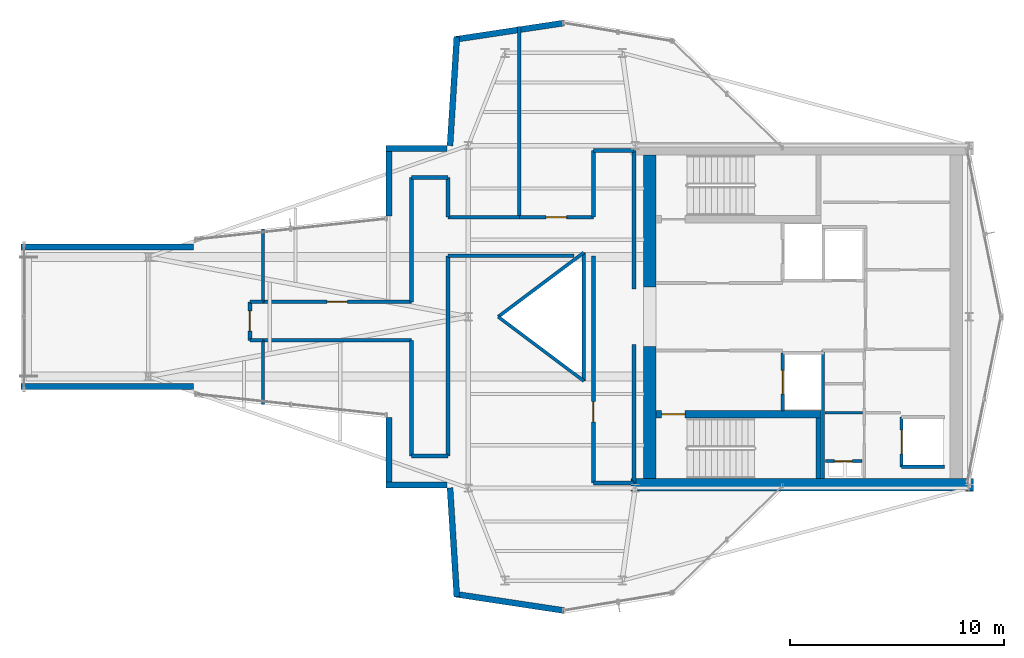
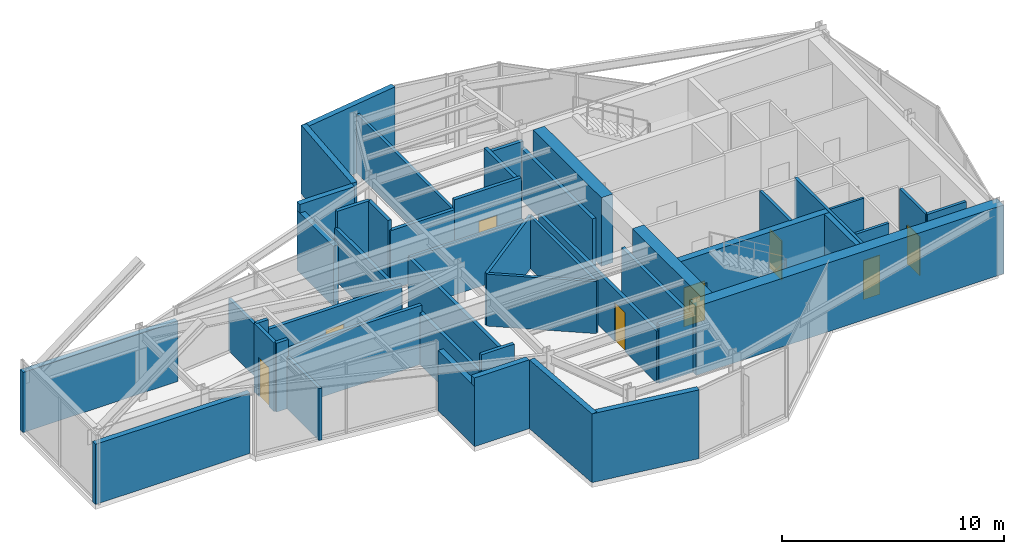
# One storey, part 14 of 16: 47 walls, 8 doors, 8 openings.
"""IFC4 building model written with IfcOpenShell, lengths in metres."""

from ifc_helpers import new_model, si_unit, direction, frame, frame_2d, origin, place, context, subcontext, project, spatial, rectangle, extrude, material, layer, layer_set, type_object, element, fill, save


model = new_model("IFC4")

# Units and contexts
model_context = context("Model", 3, precision=1e-05, world=origin(), true_north=direction((0.0, 1.0)))
body_context = subcontext(model_context, "Body", "Model", "MODEL_VIEW")
ifc_project = project(units=[si_unit("LENGTHUNIT", "METRE"), si_unit("AREAUNIT", "SQUARE_METRE"), si_unit("VOLUMEUNIT", "CUBIC_METRE"), si_unit("PLANEANGLEUNIT", "RADIAN"), si_unit("MASSUNIT", "GRAM", prefix="KILO")], contexts=[model_context])

# Site, building, storey
site_placement = place(None, origin())
site = spatial("IfcSite", under=ifc_project, at=site_placement, CompositionType="ELEMENT")
building_placement = place(site_placement, origin())
building = spatial("IfcBuilding", under=site, at=building_placement, Name="Veymaron Broadcast Tower", CompositionType="ELEMENT")
storey_placement = place(building_placement, frame((0.0, 0.0, 315.449951171875)))
storey = spatial("IfcBuildingStorey", under=building, at=storey_placement, Name="L74", CompositionType="ELEMENT", Elevation=315.449951171875)

# Walls
ifc_material_1 = material(Name="Precast concrete C40/50", Category="concrete")
ifc_layer_1 = layer(ifc_material_1, 0.280029296875)
ifc_layer_set_1 = layer_set([ifc_layer_1], Name="Precast concrete C40/50")
wall_type_1 = type_object("IfcWallType", Name="WALL-EXT-280", PredefinedType="STANDARD", material=ifc_layer_set_1)
wall_1_placement = place(storey_placement, frame((27.498291015625, 19.284423828125, 0.0), z_axis=(0.0, 0.0, 1.0), x_axis=(0.0, -1.0, 0.0)))
element("IfcWall", 1, at=wall_1_placement, inside=storey, type_object=wall_type_1, Name="L74 notched corner facade pier 3-1", PredefinedType="STANDARD", context=body_context, shape_type="SweptSolid", body=[
    extrude(rectangle(XDim=3.284423828125, YDim=0.280029296875, at=frame_2d((1.64208984375, 0.0))), origin(), (0.0, 0.0, 1.0), 3.30908203125),
])
wall_2_placement = place(storey_placement, frame((27.3583984375, 16.139892578125, 0.0), z_axis=(0.0, 0.0, 1.0), x_axis=(1.0, 0.0, 0.0)))
element("IfcWall", 2, at=wall_2_placement, inside=storey, type_object=wall_type_1, Name="L74 notched corner facade pier 4-1", PredefinedType="STANDARD", context=body_context, shape_type="SweptSolid", body=[
    extrude(rectangle(XDim=2.85009765625, YDim=0.280029296875, at=frame_2d((1.425048828125, 0.0))), origin(), (0.0, 0.0, 1.0), 3.780029296875),
])
wall_3_placement = place(storey_placement, frame((30.34814453125, 16.0087890625, 0.0), z_axis=(0.0, 0.0, 1.0), x_axis=(0.062485600391, -0.998045865551, 0.0)))
element("IfcWall", 3, at=wall_3_placement, inside=storey, type_object=wall_type_1, Name="L74 notched corner facade pier 5-1", PredefinedType="STANDARD", context=body_context, shape_type="SweptSolid", body=[
    extrude(rectangle(XDim=5.098876953125, YDim=0.280029296875, at=frame_2d((2.54931640625, 0.0))), origin(), (0.0, 0.0, 1.0), 3.780029296875),
])
for number, where, z_axis, x_axis, name in (
    (4, (30.548095703125, 11.049560546875, 0.0), (0.0, 0.0, 1.0), (0.988753702072, -0.149553056265, 0.0), "L74 notched corner facade pier 6-1"),
    (5, (35.677734375, 37.726318359375, 0.0), (0.0, 0.0, 1.0), (-0.988753702072, -0.149553056265, 0.0), "L74 notched corner facade pier 15-1"),
):
    element("IfcWall", number, at=place(storey_placement, frame(where, z_axis=z_axis, x_axis=x_axis)), inside=storey, type_object=wall_type_1, Name=name, PredefinedType="STANDARD", context=body_context, shape_type="SweptSolid", body=[
        extrude(rectangle(XDim=5.18798828125, YDim=0.280029296875, at=frame_2d((2.593994140625, 0.0))), origin(), (0.0, 0.0, 1.0), 3.780029296875),
    ])
wall_4_placement = place(storey_placement, frame((30.666748046875, 37.080078125, 0.0), z_axis=(0.0, 0.0, 1.0), x_axis=(-0.062485600391, -0.998045865551, 0.0)))
element("IfcWall", 6, at=wall_4_placement, inside=storey, type_object=wall_type_1, Name="L74 notched corner facade pier 16-1", PredefinedType="STANDARD", context=body_context, shape_type="SweptSolid", body=[
    extrude(rectangle(XDim=5.098876953125, YDim=0.280029296875, at=frame_2d((2.54931640625, 0.0))), origin(), (0.0, 0.0, 1.0), 3.780029296875),
])
wall_5_placement = place(storey_placement, frame((30.20849609375, 31.860107421875, 0.0), z_axis=(0.0, 0.0, 1.0), x_axis=(-1.0, 0.0, 0.0)))
element("IfcWall", 7, at=wall_5_placement, inside=storey, type_object=wall_type_1, Name="L74 notched corner facade pier 17-1", PredefinedType="STANDARD", context=body_context, shape_type="SweptSolid", body=[
    extrude(rectangle(XDim=2.85009765625, YDim=0.280029296875, at=frame_2d((1.425048828125, 0.0))), origin(), (0.0, 0.0, 1.0), 3.780029296875),
])
wall_6_placement = place(storey_placement, frame((27.498291015625, 32.0, 0.0), z_axis=(0.0, 0.0, 1.0), x_axis=(0.0, -1.0, 0.0)))
element("IfcWall", 8, at=wall_6_placement, inside=storey, type_object=wall_type_1, Name="L74 notched corner facade pier 18-1", PredefinedType="STANDARD", context=body_context, shape_type="SweptSolid", body=[
    extrude(rectangle(XDim=3.284423828125, YDim=0.280029296875, at=frame_2d((1.64208984375, 0.0))), origin(), (0.0, 0.0, 1.0), 3.30908203125),
])
for number, where, z_axis, x_axis, name in (
    (9, (18.353515625, 27.260009765625, 0.0), (0.0, 0.0, 1.0), (-1.0, 0.0, 0.0), "L74 notched corner facade pier 21-1"),
    (10, (10.308837890625, 20.739990234375, 0.0), (0.0, 0.0, 1.0), (1.0, 0.0, 0.0), "L74 notched corner facade pier 23-1"),
):
    element("IfcWall", number, at=place(storey_placement, frame(where, z_axis=z_axis, x_axis=x_axis)), inside=storey, type_object=wall_type_1, Name=name, PredefinedType="STANDARD", context=body_context, shape_type="SweptSolid", body=[
        extrude(rectangle(XDim=8.044677734375, YDim=0.280029296875, at=frame_2d((4.0224609375, 0.0))), origin(), (0.0, 0.0, 1.0), 3.30908203125),
    ])

# Wall, opening, door
ifc_material_2 = material(Name="Gypsum fireboard and steel stud framing", Category="steel")
ifc_layer_2 = layer(ifc_material_2, 0.14990234375)
ifc_layer_set_2 = layer_set([ifc_layer_2], Name="Gypsum fireboard and steel stud framing")
wall_type_2 = type_object("IfcWallType", Name="WALL-FIRE-150", PredefinedType="PARTITIONING", material=ifc_layer_set_2)
wall_7_placement = place(storey_placement, frame((45.89501953125, 19.590087890625, 0.0), z_axis=(0.0, 0.0, 1.0), x_axis=(0.0, 1.0, 0.0)))
wall_7 = element("IfcWall", 11, at=wall_7_placement, inside=storey, type_object=wall_type_2, Name="L74 partition IW-L74-SHW-FFL-2", PredefinedType="PARTITIONING", context=body_context, shape_type="SweptSolid", body=[
    extrude(rectangle(XDim=2.719970703125, YDim=0.14990234375, at=frame_2d((1.35986328125, 0.0))), origin(), (0.0, 0.0, 1.0), 3.780029296875),
])
opening_1_placement = place(wall_7_placement, frame((0.81005859375, 0.0, 0.0)))
opening_1 = element("IfcOpeningElement", 12, at=opening_1_placement, cuts=wall_7, Name="Opening LD", PredefinedType="OPENING", context=body_context, shape_type="SweptSolid", body=[
    extrude(rectangle(XDim=1.10009765625, YDim=2.14990234375, at=frame_2d((0.550048828125, 1.074951171875))), frame((0.0, 0.0849609375, 0.0), z_axis=(0.0, -1.0, 0.0), x_axis=(1.0, 0.0, 0.0)), (0.0, 0.0, 1.0), 0.169921875),
])
ifc_material_3 = material(Name="Brushed stainless steel AISI 304", Category="steel")
door_type_1 = type_object("IfcDoorType", Name="DOOR-LIFT-1100", OperationType="DOUBLE_DOOR_SLIDING", PredefinedType="DOOR", material=ifc_material_3)
door_1_placement = place(opening_1_placement, frame((1.10009765625, 0.0, 0.0), z_axis=(0.0, 0.0, 1.0), x_axis=(-1.0, 0.0, 0.0)))
door_1 = element("IfcDoor", 13, at=door_1_placement, inside=storey, type_object=door_type_1, Name="L74 door LD-L74-FFL-2", OperationType="DOUBLE_DOOR_SLIDING", OverallHeight=2.14990234375, OverallWidth=1.10009765625, PredefinedType="DOOR", context=body_context, shape_type="SweptSolid", body=[
    extrude(rectangle(XDim=1.10009765625, YDim=2.14990234375, at=frame_2d((0.550048828125, 1.074951171875))), frame((0.0, 0.02490234375, 0.0), z_axis=(0.0, -1.0, 0.0), x_axis=(1.0, 0.0, 0.0)), (0.0, 0.0, 1.0), 0.050048828125),
])
fill(opening_1, door_1)

wall_8_placement = place(storey_placement, frame((51.445068359375, 16.989990234375, 0.0), z_axis=(0.0, 0.0, 1.0), x_axis=(0.0, 1.0, 0.0)))
wall_8 = element("IfcWall", 14, at=wall_8_placement, inside=storey, type_object=wall_type_2, Name="L74 partition IW-L74-SHW-PH1", PredefinedType="PARTITIONING", context=body_context, shape_type="SweptSolid", body=[
    extrude(rectangle(XDim=2.320068359375, YDim=0.14990234375, at=frame_2d((1.16015625, 0.0))), origin(), (0.0, 0.0, 1.0), 3.780029296875),
])
opening_2_placement = place(wall_8_placement, frame((0.610107421875, 0.0, 0.0)))
opening_2 = element("IfcOpeningElement", 15, at=opening_2_placement, cuts=wall_8, Name="Opening LD", PredefinedType="OPENING", context=body_context, shape_type="SweptSolid", body=[
    extrude(rectangle(XDim=1.10009765625, YDim=2.14990234375, at=frame_2d((0.550048828125, 1.074951171875))), frame((0.0, 0.0849609375, 0.0), z_axis=(0.0, -1.0, 0.0), x_axis=(1.0, 0.0, 0.0)), (0.0, 0.0, 1.0), 0.169921875),
])
door_2_placement = place(opening_2_placement, frame((1.10009765625, 0.0, 0.0), z_axis=(0.0, 0.0, 1.0), x_axis=(-1.0, 0.0, 0.0)))
door_2 = element("IfcDoor", 16, at=door_2_placement, inside=storey, type_object=door_type_1, Name="L74 door LD-L74-PH1", OperationType="DOUBLE_DOOR_SLIDING", OverallHeight=2.14990234375, OverallWidth=1.10009765625, PredefinedType="DOOR", context=body_context, shape_type="SweptSolid", body=[
    extrude(rectangle(XDim=1.10009765625, YDim=2.14990234375, at=frame_2d((0.550048828125, 1.074951171875))), frame((0.0, 0.02490234375, 0.0), z_axis=(0.0, -1.0, 0.0), x_axis=(1.0, 0.0, 0.0)), (0.0, 0.0, 1.0), 0.050048828125),
])
fill(opening_2, door_2)

# Wall
wall_9_placement = place(storey_placement, frame((51.445068359375, 16.989990234375, 0.0), z_axis=(0.0, 0.0, 1.0), x_axis=(1.0, 0.0, 0.0)))
element("IfcWall", 17, at=wall_9_placement, inside=storey, type_object=wall_type_2, Name="L74 partition IW-L74-SHS-PH1", PredefinedType="PARTITIONING", context=body_context, shape_type="SweptSolid", body=[
    extrude(rectangle(XDim=2.014892578125, YDim=0.14990234375, at=frame_2d((1.00732421875, 0.0))), origin(), (0.0, 0.0, 1.0), 3.780029296875),
])

# Wall, opening, door
wall_10_placement = place(storey_placement, frame((47.8798828125, 17.260009765625, 0.0), z_axis=(0.0, 0.0, 1.0), x_axis=(1.0, 0.0, 0.0)))
wall_10 = element("IfcWall", 18, at=wall_10_placement, inside=storey, type_object=wall_type_2, Name="L74 partition IW-L74-RIS-N", PredefinedType="PARTITIONING", context=body_context, shape_type="SweptSolid", body=[
    extrude(rectangle(XDim=1.72021484375, YDim=0.14990234375, at=frame_2d((0.860107421875, 0.0))), origin(), (0.0, 0.0, 1.0), 3.780029296875),
])
opening_3_placement = place(wall_10_placement, frame((0.419921875, 0.0, 0.0)))
opening_3 = element("IfcOpeningElement", 19, at=opening_3_placement, cuts=wall_10, Name="Opening ID-RS1", PredefinedType="OPENING", context=body_context, shape_type="SweptSolid", body=[
    extrude(rectangle(XDim=0.85009765625, YDim=2.14990234375, at=frame_2d((0.425048828125, 1.074951171875))), frame((0.0, 0.0849609375, 0.0), z_axis=(0.0, -1.0, 0.0), x_axis=(1.0, 0.0, 0.0)), (0.0, 0.0, 1.0), 0.169921875),
])
ifc_material_4 = material(Name="Fire-rated powder-coated steel riser leaf", Category="steel")
door_type_2 = type_object("IfcDoorType", Name="DOOR-RIS-850", OperationType="NOTDEFINED", PredefinedType="TRAPDOOR", material=ifc_material_4)
door_3_placement = place(opening_3_placement, origin())
door_3 = element("IfcDoor", 20, at=door_3_placement, inside=storey, type_object=door_type_2, Name="L74 door DR-L74-RIS", OperationType="SINGLE_SWING_LEFT", OverallHeight=2.14990234375, OverallWidth=0.85009765625, PredefinedType="TRAPDOOR", context=body_context, shape_type="SweptSolid", body=[
    extrude(rectangle(XDim=0.85009765625, YDim=2.14990234375, at=frame_2d((0.425048828125, 1.074951171875))), frame((0.0, 0.02490234375, 0.0), z_axis=(0.0, -1.0, 0.0), x_axis=(1.0, 0.0, 0.0)), (0.0, 0.0, 1.0), 0.050048828125),
])
fill(opening_3, door_3)

# Wall
wall_11_placement = place(storey_placement, frame((47.780029296875, 16.449951171875, 0.0), z_axis=(0.0, 0.0, 1.0), x_axis=(0.0, 1.0, 0.0)))
element("IfcWall", 21, at=wall_11_placement, inside=storey, type_object=wall_type_2, Name="L74 partition IW-L74-SM-W", PredefinedType="PARTITIONING", context=body_context, shape_type="SweptSolid", body=[
    extrude(rectangle(XDim=5.97509765625, YDim=0.14990234375, at=frame_2d((2.987548828125, 0.0))), origin(), (0.0, 0.0, 1.0), 3.780029296875),
])

# Wall, opening, door
ifc_material_5 = material(Name="Concrete C40/50", Category="concrete")
ifc_layer_3 = layer(ifc_material_5, 0.179931640625)
ifc_layer_set_3 = layer_set([ifc_layer_3], Name="Concrete C40/50")
wall_type_3 = type_object("IfcWallType", Name="WALL-FIRE-180", PredefinedType="SOLIDWALL", material=ifc_layer_set_3)
wall_12_placement = place(storey_placement, frame((37.050048828125, 16.235107421875, 0.0), z_axis=(0.0, 0.0, 1.0), x_axis=(0.0, 1.0, 0.0)))
wall_12 = element("IfcWall", 22, at=wall_12_placement, inside=storey, type_object=wall_type_3, Name="L74 partition IW-L74-P01", PredefinedType="SOLIDWALL", context=body_context, shape_type="SweptSolid", body=[
    extrude(rectangle(XDim=10.614990234375, YDim=0.179931640625, at=frame_2d((5.3076171875, 0.0))), origin(), (0.0, 0.0, 1.0), 2.85595703125),
])
opening_4_placement = place(wall_12_placement, frame((2.852294921875, 0.0, 0.0)))
opening_4 = element("IfcOpeningElement", 23, at=opening_4_placement, cuts=wall_12, Name="Opening ID-RM1", PredefinedType="OPENING", context=body_context, shape_type="SweptSolid", body=[
    extrude(rectangle(XDim=0.949951171875, YDim=2.14990234375, at=frame_2d((0.47509765625, 1.074951171875))), frame((0.0, 0.10009765625, 0.0), z_axis=(0.0, -1.0, 0.0), x_axis=(1.0, 0.0, 0.0)), (0.0, 0.0, 1.0), 0.199951171875),
])
ifc_material_6 = material(Name="Acoustic solid-core European oak veneer timber", Category="wood")
door_type_3 = type_object("IfcDoorType", Name="DOOR-INT-950", OperationType="NOTDEFINED", PredefinedType="DOOR", material=ifc_material_6)
door_4_placement = place(opening_4_placement, frame((0.949951171875, 0.0, 0.0), z_axis=(0.0, 0.0, 1.0), x_axis=(-1.0, 0.0, 0.0)))
door_4 = element("IfcDoor", 24, at=door_4_placement, inside=storey, type_object=door_type_3, Name="L74 door DR-L74-P01", OperationType="SINGLE_SWING_RIGHT", OverallHeight=2.14990234375, OverallWidth=0.949951171875, PredefinedType="DOOR", context=body_context, shape_type="SweptSolid", body=[
    extrude(rectangle(XDim=0.949951171875, YDim=2.14990234375, at=frame_2d((0.47509765625, 1.074951171875))), frame((0.0, 0.02490234375, 0.0), z_axis=(0.0, -1.0, 0.0), x_axis=(1.0, 0.0, 0.0)), (0.0, 0.0, 1.0), 0.050048828125),
])
fill(opening_4, door_4)

wall_13_placement = place(storey_placement, frame((21.0, 22.89990234375, 0.0), z_axis=(0.0, 0.0, 1.0), x_axis=(0.0, 1.0, 0.0)))
wall_13 = element("IfcWall", 25, at=wall_13_placement, inside=storey, type_object=wall_type_3, Name="L74 partition IW-L74-P09", PredefinedType="SOLIDWALL", context=body_context, shape_type="SweptSolid", body=[
    extrude(rectangle(XDim=1.800048828125, YDim=0.179931640625, at=frame_2d((0.89990234375, 0.0))), origin(), (0.0, 0.0, 1.0), 3.780029296875),
])
opening_5_placement = place(wall_13_placement, frame((0.425048828125, 0.0, 0.0)))
opening_5 = element("IfcOpeningElement", 26, at=opening_5_placement, cuts=wall_13, Name="Opening ID-RM1", PredefinedType="OPENING", context=body_context, shape_type="SweptSolid", body=[
    extrude(rectangle(XDim=0.949951171875, YDim=2.14990234375, at=frame_2d((0.47509765625, 1.074951171875))), frame((0.0, 0.10009765625, 0.0), z_axis=(0.0, -1.0, 0.0), x_axis=(1.0, 0.0, 0.0)), (0.0, 0.0, 1.0), 0.199951171875),
])
door_5_placement = place(opening_5_placement, origin())
door_5 = element("IfcDoor", 27, at=door_5_placement, inside=storey, type_object=door_type_3, Name="L74 door DR-L74-P09", OperationType="SINGLE_SWING_RIGHT", OverallHeight=2.14990234375, OverallWidth=0.949951171875, PredefinedType="DOOR", context=body_context, shape_type="SweptSolid", body=[
    extrude(rectangle(XDim=0.949951171875, YDim=2.14990234375, at=frame_2d((0.47509765625, 1.074951171875))), frame((0.0, 0.02490234375, 0.0), z_axis=(0.0, -1.0, 0.0), x_axis=(1.0, 0.0, 0.0)), (0.0, 0.0, 1.0), 0.050048828125),
])
fill(opening_5, door_5)

wall_14_placement = place(storey_placement, frame((21.614013671875, 24.699951171875, 0.0), z_axis=(0.0, 0.0, 1.0), x_axis=(1.0, 0.0, 0.0)))
wall_14 = element("IfcWall", 28, at=wall_14_placement, inside=storey, type_object=wall_type_3, Name="L74 partition IW-L74-P12", PredefinedType="SOLIDWALL", context=body_context, shape_type="SweptSolid", body=[
    extrude(rectangle(XDim=6.93603515625, YDim=0.179931640625, at=frame_2d((3.468017578125, 0.0))), origin(), (0.0, 0.0, 1.0), 3.239990234375),
])
opening_6_placement = place(wall_14_placement, frame((2.992919921875, 0.0, 0.0)))
opening_6 = element("IfcOpeningElement", 29, at=opening_6_placement, cuts=wall_14, Name="Opening ID-RM1", PredefinedType="OPENING", context=body_context, shape_type="SweptSolid", body=[
    extrude(rectangle(XDim=0.949951171875, YDim=2.14990234375, at=frame_2d((0.47509765625, 1.074951171875))), frame((0.0, 0.10009765625, 0.0), z_axis=(0.0, -1.0, 0.0), x_axis=(1.0, 0.0, 0.0)), (0.0, 0.0, 1.0), 0.199951171875),
])
door_6_placement = place(opening_6_placement, origin())
door_6 = element("IfcDoor", 30, at=door_6_placement, inside=storey, type_object=door_type_3, Name="L74 door DR-L74-P12", OperationType="SINGLE_SWING_LEFT", OverallHeight=2.14990234375, OverallWidth=0.949951171875, PredefinedType="DOOR", context=body_context, shape_type="SweptSolid", body=[
    extrude(rectangle(XDim=0.949951171875, YDim=2.14990234375, at=frame_2d((0.47509765625, 1.074951171875))), frame((0.0, 0.02490234375, 0.0), z_axis=(0.0, -1.0, 0.0), x_axis=(1.0, 0.0, 0.0)), (0.0, 0.0, 1.0), 0.050048828125),
])
fill(opening_6, door_6)

wall_15_placement = place(storey_placement, frame((33.5830078125, 28.64990234375, 0.0), z_axis=(0.0, 0.0, 1.0), x_axis=(1.0, 0.0, 0.0)))
wall_15 = element("IfcWall", 31, at=wall_15_placement, inside=storey, type_object=wall_type_3, Name="L74 partition IW-L74-P18", PredefinedType="SOLIDWALL", context=body_context, shape_type="SweptSolid", body=[
    extrude(rectangle(XDim=3.467041015625, YDim=0.179931640625, at=frame_2d((1.7333984375, 0.0))), origin(), (0.0, 0.0, 1.0), 3.780029296875),
])
opening_7_placement = place(wall_15_placement, frame((1.258544921875, 0.0, 0.0)))
opening_7 = element("IfcOpeningElement", 32, at=opening_7_placement, cuts=wall_15, Name="Opening ID-RM1", PredefinedType="OPENING", context=body_context, shape_type="SweptSolid", body=[
    extrude(rectangle(XDim=0.949951171875, YDim=2.14990234375, at=frame_2d((0.47509765625, 1.074951171875))), frame((0.0, 0.10009765625, 0.0), z_axis=(0.0, -1.0, 0.0), x_axis=(1.0, 0.0, 0.0)), (0.0, 0.0, 1.0), 0.199951171875),
])
door_7_placement = place(opening_7_placement, origin())
door_7 = element("IfcDoor", 33, at=door_7_placement, inside=storey, type_object=door_type_3, Name="L74 door DR-L74-P18", OperationType="SINGLE_SWING_LEFT", OverallHeight=2.14990234375, OverallWidth=0.949951171875, PredefinedType="DOOR", context=body_context, shape_type="SweptSolid", body=[
    extrude(rectangle(XDim=0.949951171875, YDim=2.14990234375, at=frame_2d((0.47509765625, 1.074951171875))), frame((0.0, 0.02490234375, 0.0), z_axis=(0.0, -1.0, 0.0), x_axis=(1.0, 0.0, 0.0)), (0.0, 0.0, 1.0), 0.050048828125),
])
fill(opening_7, door_7)

# Walls
wall_16_placement = place(storey_placement, frame((30.25, 17.5, 0.0), z_axis=(0.0, 0.0, 1.0), x_axis=(0.0, 1.0, 0.0)))
element("IfcWall", 34, at=wall_16_placement, inside=storey, type_object=wall_type_3, Name="L74 partition IW-L74-P02", PredefinedType="SOLIDWALL", context=body_context, shape_type="SweptSolid", body=[
    extrude(rectangle(XDim=9.35009765625, YDim=0.179931640625, at=frame_2d((4.675048828125, 0.0))), origin(), (0.0, 0.0, 1.0), 2.85595703125),
])
wall_17_placement = place(storey_placement, frame((21.614013671875, 22.89990234375, 0.0), z_axis=(0.0, 0.0, 1.0), x_axis=(1.0, 0.0, 0.0)))
element("IfcWall", 35, at=wall_17_placement, inside=storey, type_object=wall_type_3, Name="L74 partition IW-L74-P03", PredefinedType="SOLIDWALL", context=body_context, shape_type="SweptSolid", body=[
    extrude(rectangle(XDim=6.93603515625, YDim=0.179931640625, at=frame_2d((3.468017578125, 0.0))), origin(), (0.0, 0.0, 1.0), 3.239990234375),
])
wall_18_placement = place(storey_placement, frame((38.949951171875, 16.235107421875, 0.0), z_axis=(0.0, 0.0, 1.0), x_axis=(0.0, 1.0, 0.0)))
element("IfcWall", 36, at=wall_18_placement, inside=storey, type_object=wall_type_3, Name="L74 partition IW-L74-P04", PredefinedType="SOLIDWALL", context=body_context, shape_type="SweptSolid", body=[
    extrude(rectangle(XDim=6.46484375, YDim=0.179931640625, at=frame_2d((3.232421875, 0.0))), origin(), (0.0, 0.0, 1.0), 2.85595703125),
])
wall_19_placement = place(storey_placement, frame((30.25, 26.85009765625, 0.0), z_axis=(0.0, 0.0, 1.0), x_axis=(1.0, 0.0, 0.0)))
element("IfcWall", 37, at=wall_19_placement, inside=storey, type_object=wall_type_3, Name="L74 partition IW-L74-P05", PredefinedType="SOLIDWALL", context=body_context, shape_type="SweptSolid", body=[
    extrude(rectangle(XDim=5.89990234375, YDim=0.179931640625, at=frame_2d((2.949951171875, 0.0))), origin(), (0.0, 0.0, 1.0), 2.85595703125),
])
wall_20_placement = place(storey_placement, frame((28.550048828125, 17.5, 0.0), z_axis=(0.0, 0.0, 1.0), x_axis=(0.0, 1.0, 0.0)))
element("IfcWall", 38, at=wall_20_placement, inside=storey, type_object=wall_type_3, Name="L74 partition IW-L74-P06", PredefinedType="SOLIDWALL", context=body_context, shape_type="SweptSolid", body=[
    extrude(rectangle(XDim=5.39990234375, YDim=0.179931640625, at=frame_2d((2.699951171875, 0.0))), origin(), (0.0, 0.0, 1.0), 2.85595703125),
])
wall_21_placement = place(storey_placement, frame((37.050048828125, 16.235107421875, 0.0), z_axis=(0.0, 0.0, 1.0), x_axis=(1.0, 0.0, 0.0)))
element("IfcWall", 39, at=wall_21_placement, inside=storey, type_object=wall_type_3, Name="L74 partition IW-L74-P07", PredefinedType="SOLIDWALL", context=body_context, shape_type="SweptSolid", body=[
    extrude(rectangle(XDim=1.89990234375, YDim=0.179931640625, at=frame_2d((0.949951171875, 0.0))), origin(), (0.0, 0.0, 1.0), 3.239990234375),
])
wall_22_placement = place(storey_placement, frame((28.550048828125, 17.5, 0.0), z_axis=(0.0, 0.0, 1.0), x_axis=(1.0, 0.0, 0.0)))
element("IfcWall", 40, at=wall_22_placement, inside=storey, type_object=wall_type_3, Name="L74 partition IW-L74-P08", PredefinedType="SOLIDWALL", context=body_context, shape_type="SweptSolid", body=[
    extrude(rectangle(XDim=1.699951171875, YDim=0.179931640625, at=frame_2d((0.85009765625, 0.0))), origin(), (0.0, 0.0, 1.0), 3.780029296875),
])
for number, where, z_axis, x_axis, name in (
    (41, (21.0, 22.89990234375, 0.0), (0.0, 0.0, 1.0), (1.0, 0.0, 0.0), "L74 partition IW-L74-P10"),
    (42, (21.0, 24.699951171875, 0.0), (0.0, 0.0, 1.0), (1.0, 0.0, 0.0), "L74 partition IW-L74-P11"),
):
    element("IfcWall", number, at=place(storey_placement, frame(where, z_axis=z_axis, x_axis=x_axis)), inside=storey, type_object=wall_type_3, Name=name, PredefinedType="SOLIDWALL", context=body_context, shape_type="SweptSolid", body=[
        extrude(rectangle(XDim=0.614013671875, YDim=0.179931640625, at=frame_2d((0.30712890625, 0.0))), origin(), (0.0, 0.0, 1.0), 3.780029296875),
    ])
wall_23_placement = place(storey_placement, frame((28.550048828125, 24.699951171875, 0.0), z_axis=(0.0, 0.0, 1.0), x_axis=(0.0, 1.0, 0.0)))
element("IfcWall", 43, at=wall_23_placement, inside=storey, type_object=wall_type_3, Name="L74 partition IW-L74-P13", PredefinedType="SOLIDWALL", context=body_context, shape_type="SweptSolid", body=[
    extrude(rectangle(XDim=5.800048828125, YDim=0.179931640625, at=frame_2d((2.89990234375, 0.0))), origin(), (0.0, 0.0, 1.0), 2.85595703125),
])
wall_24_placement = place(storey_placement, frame((30.25, 28.64990234375, 0.0), z_axis=(0.0, 0.0, 1.0), x_axis=(1.0, 0.0, 0.0)))
element("IfcWall", 44, at=wall_24_placement, inside=storey, type_object=wall_type_3, Name="L74 partition IW-L74-P14", PredefinedType="SOLIDWALL", context=body_context, shape_type="SweptSolid", body=[
    extrude(rectangle(XDim=3.3330078125, YDim=0.179931640625, at=frame_2d((1.66650390625, 0.0))), origin(), (0.0, 0.0, 1.0), 3.239990234375),
])
wall_25_placement = place(storey_placement, frame((30.25, 28.64990234375, 0.0), z_axis=(0.0, 0.0, 1.0), x_axis=(0.0, 1.0, 0.0)))
element("IfcWall", 45, at=wall_25_placement, inside=storey, type_object=wall_type_3, Name="L74 partition IW-L74-P15", PredefinedType="SOLIDWALL", context=body_context, shape_type="SweptSolid", body=[
    extrude(rectangle(XDim=1.85009765625, YDim=0.179931640625, at=frame_2d((0.925048828125, 0.0))), origin(), (0.0, 0.0, 1.0), 3.780029296875),
])
wall_26_placement = place(storey_placement, frame((28.550048828125, 30.5, 0.0), z_axis=(0.0, 0.0, 1.0), x_axis=(1.0, 0.0, 0.0)))
element("IfcWall", 46, at=wall_26_placement, inside=storey, type_object=wall_type_3, Name="L74 partition IW-L74-P16", PredefinedType="SOLIDWALL", context=body_context, shape_type="SweptSolid", body=[
    extrude(rectangle(XDim=1.699951171875, YDim=0.179931640625, at=frame_2d((0.85009765625, 0.0))), origin(), (0.0, 0.0, 1.0), 3.780029296875),
])
wall_27_placement = place(storey_placement, frame((38.949951171875, 25.300048828125, 0.0), z_axis=(0.0, 0.0, 1.0), x_axis=(0.0, 1.0, 0.0)))
element("IfcWall", 47, at=wall_27_placement, inside=storey, type_object=wall_type_3, Name="L74 partition IW-L74-P17", PredefinedType="SOLIDWALL", context=body_context, shape_type="SweptSolid", body=[
    extrude(rectangle(XDim=6.46484375, YDim=0.179931640625, at=frame_2d((3.232421875, 0.0))), origin(), (0.0, 0.0, 1.0), 2.85595703125),
])
wall_28_placement = place(storey_placement, frame((37.050048828125, 28.64990234375, 0.0), z_axis=(0.0, 0.0, 1.0), x_axis=(0.0, 1.0, 0.0)))
element("IfcWall", 48, at=wall_28_placement, inside=storey, type_object=wall_type_3, Name="L74 partition IW-L74-P19", PredefinedType="SOLIDWALL", context=body_context, shape_type="SweptSolid", body=[
    extrude(rectangle(XDim=3.114990234375, YDim=0.179931640625, at=frame_2d((1.5576171875, 0.0))), origin(), (0.0, 0.0, 1.0), 3.510009765625),
])
wall_29_placement = place(storey_placement, frame((37.050048828125, 31.764892578125, 0.0), z_axis=(0.0, 0.0, 1.0), x_axis=(1.0, 0.0, 0.0)))
element("IfcWall", 49, at=wall_29_placement, inside=storey, type_object=wall_type_3, Name="L74 partition IW-L74-P20", PredefinedType="SOLIDWALL", context=body_context, shape_type="SweptSolid", body=[
    extrude(rectangle(XDim=1.89990234375, YDim=0.179931640625, at=frame_2d((0.949951171875, 0.0))), origin(), (0.0, 0.0, 1.0), 3.239990234375),
])
ifc_material_7 = material(Name="Fire-rated laminated glass in aluminium frame", Category="aluminium")
ifc_layer_4 = layer(ifc_material_7, 0.14990234375)
ifc_layer_set_4 = layer_set([ifc_layer_4], Name="Fire-rated laminated glass in aluminium frame")
wall_type_4 = type_object("IfcWallType", Name="WALL-GLZ-150", PredefinedType="MOVABLE", material=ifc_layer_set_4)
wall_30_placement = place(storey_placement, frame((21.614013671875, 19.9072265625, 0.0), z_axis=(0.0, 0.0, 1.0), x_axis=(0.0, 1.0, 0.0)))
element("IfcWall", 50, at=wall_30_placement, inside=storey, type_object=wall_type_4, Name="L74 partition IW-L74-P21", PredefinedType="MOVABLE", context=body_context, shape_type="SweptSolid", body=[
    extrude(rectangle(XDim=2.99267578125, YDim=0.14990234375, at=frame_2d((1.496337890625, 0.0))), origin(), (0.0, 0.0, 1.0), 2.85595703125),
])
wall_31_placement = place(storey_placement, frame((21.614013671875, 24.699951171875, 0.0), z_axis=(0.0, 0.0, 1.0), x_axis=(0.0, 1.0, 0.0)))
element("IfcWall", 51, at=wall_31_placement, inside=storey, type_object=wall_type_4, Name="L74 partition IW-L74-P22", PredefinedType="MOVABLE", context=body_context, shape_type="SweptSolid", body=[
    extrude(rectangle(XDim=3.392822265625, YDim=0.14990234375, at=frame_2d((1.6962890625, 0.0))), origin(), (0.0, 0.0, 1.0), 2.85595703125),
])
wall_32_placement = place(storey_placement, frame((33.5830078125, 28.64990234375, 0.0), z_axis=(0.0, 0.0, 1.0), x_axis=(0.0, 1.0, 0.0)))
element("IfcWall", 52, at=wall_32_placement, inside=storey, type_object=wall_type_4, Name="L74 partition IW-L74-P23", PredefinedType="MOVABLE", context=body_context, shape_type="SweptSolid", body=[
    extrude(rectangle(XDim=8.901123046875, YDim=0.14990234375, at=frame_2d((4.45068359375, 0.0))), origin(), (0.0, 0.0, 1.0), 3.239990234375),
])
wall_33_placement = place(storey_placement, frame((32.60009765625, 24.0, 0.0), z_axis=(0.0, 0.0, 1.0), x_axis=(0.8, -0.6, 0.0)))
element("IfcWall", 53, at=wall_33_placement, inside=storey, type_object=wall_type_4, Name="L74 partition IW-L74-ATR1", PredefinedType="MOVABLE", context=body_context, shape_type="SweptSolid", body=[
    extrude(rectangle(XDim=5.0, YDim=0.14990234375, at=frame_2d((2.5, 0.0))), origin(), (0.0, 0.0, 1.0), 2.85595703125),
])
wall_34_placement = place(storey_placement, frame((36.60009765625, 21.0, 0.0), z_axis=(0.0, 0.0, 1.0), x_axis=(0.0, 1.0, 0.0)))
element("IfcWall", 54, at=wall_34_placement, inside=storey, type_object=wall_type_4, Name="L74 partition IW-L74-ATR2", PredefinedType="MOVABLE", context=body_context, shape_type="SweptSolid", body=[
    extrude(rectangle(XDim=6.0, YDim=0.14990234375, at=frame_2d((3.0, 0.0))), origin(), (0.0, 0.0, 1.0), 2.85595703125),
])
wall_35_placement = place(storey_placement, frame((36.60009765625, 27.0, 0.0), z_axis=(0.0, 0.0, 1.0), x_axis=(-0.8, -0.6, 0.0)))
element("IfcWall", 55, at=wall_35_placement, inside=storey, type_object=wall_type_4, Name="L74 partition IW-L74-ATR3", PredefinedType="MOVABLE", context=body_context, shape_type="SweptSolid", body=[
    extrude(rectangle(XDim=5.0, YDim=0.14990234375, at=frame_2d((2.5, 0.0))), origin(), (0.0, 0.0, 1.0), 2.85595703125),
])
ifc_material_8 = material(Name="Acoustic gypsum board and galvanized stud", Category="gypsum")
ifc_layer_5 = layer(ifc_material_8, 0.1201171875)
ifc_layer_set_5 = layer_set([ifc_layer_5], Name="Acoustic gypsum board and galvanized stud")
wall_type_5 = type_object("IfcWallType", Name="WALL-PART-120", PredefinedType="PARTITIONING", material=ifc_layer_set_5)
wall_36_placement = place(storey_placement, frame((47.860107421875, 19.52001953125, 0.0), z_axis=(0.0, 0.0, 1.0), x_axis=(1.0, 0.0, 0.0)))
element("IfcWall", 56, at=wall_36_placement, inside=storey, type_object=wall_type_5, Name="L74 partition IW-L74-SM-D1", PredefinedType="PARTITIONING", context=body_context, shape_type="SweptSolid", body=[
    extrude(rectangle(XDim=1.760009765625, YDim=0.1201171875, at=frame_2d((0.8798828125, 0.0))), origin(), (0.0, 0.0, 1.0), 3.780029296875),
])
ifc_material_9 = material(Name="Concrete C50/60", Category="concrete")
ifc_layer_6 = layer(ifc_material_9, 0.25)
ifc_layer_set_6 = layer_set([ifc_layer_6], Name="Concrete C50/60")
wall_type_6 = type_object("IfcWallType", Name="WALL-SHEAR-250", PredefinedType="SHEAR", material=ifc_layer_set_6)
wall_37_placement = place(storey_placement, frame((47.56494140625, 16.449951171875, 0.0), z_axis=(0.0, 0.0, 1.0), x_axis=(0.0, 1.0, 0.0)))
element("IfcWall", 57, at=wall_37_placement, inside=storey, type_object=wall_type_6, Name="L74 Core Wall south stair east shear", PredefinedType="SHEAR", context=body_context, shape_type="SweptSolid", body=[
    extrude(rectangle(XDim=2.820068359375, YDim=0.25, at=frame_2d((1.41015625, 0.0))), origin(), (0.0, 0.0, 1.0), 3.780029296875),
])

# Wall, opening, door
ifc_layer_7 = layer(ifc_material_9, 0.35009765625)
ifc_layer_set_7 = layer_set([ifc_layer_7], Name="Concrete C50/60")
wall_type_7 = type_object("IfcWallType", Name="WALL-SHEAR-350", PredefinedType="SHEAR", material=ifc_layer_set_7)
wall_38_placement = place(storey_placement, frame((39.97998046875, 19.445068359375, 0.0), z_axis=(0.0, 0.0, 1.0), x_axis=(1.0, 0.0, 0.0)))
wall_38 = element("IfcWall", 58, at=wall_38_placement, inside=storey, type_object=wall_type_7, Name="L74 Core Wall south stair spine", PredefinedType="SHEAR", context=body_context, shape_type="SweptSolid", body=[
    extrude(rectangle(XDim=7.7099609375, YDim=0.35009765625, at=frame_2d((3.85498046875, 0.0))), origin(), (0.0, 0.0, 1.0), 3.780029296875),
])
opening_8_placement = place(wall_38_placement, frame((0.25, 0.0, 0.0)))
opening_8 = element("IfcOpeningElement", 59, at=opening_8_placement, cuts=wall_38, Name="Opening ID-ST1", PredefinedType="OPENING", context=body_context, shape_type="SweptSolid", body=[
    extrude(rectangle(XDim=1.10009765625, YDim=2.14990234375, at=frame_2d((0.550048828125, 1.074951171875))), frame((0.0, 0.18505859375, 0.0), z_axis=(0.0, -1.0, 0.0), x_axis=(1.0, 0.0, 0.0)), (0.0, 0.0, 1.0), 0.3701171875),
])
ifc_material_10 = material(Name="Fire-rated painted hollow steel ASTM A653", Category="steel")
door_type_4 = type_object("IfcDoorType", Name="DOOR-STAIR-1100", OperationType="NOTDEFINED", PredefinedType="DOOR", material=ifc_material_10)
door_8_placement = place(opening_8_placement, frame((1.10009765625, 0.0, 0.0), z_axis=(0.0, 0.0, 1.0), x_axis=(-1.0, 0.0, 0.0)))
door_8 = element("IfcDoor", 60, at=door_8_placement, inside=storey, type_object=door_type_4, Name="L74 exit stair ST2 fire door", OperationType="SINGLE_SWING_RIGHT", OverallHeight=2.14990234375, OverallWidth=1.10009765625, PredefinedType="DOOR", context=body_context, shape_type="SweptSolid", body=[
    extrude(rectangle(XDim=1.10009765625, YDim=2.14990234375, at=frame_2d((0.550048828125, 1.074951171875))), frame((0.0, 0.02490234375, 0.0), z_axis=(0.0, -1.0, 0.0), x_axis=(1.0, 0.0, 0.0)), (0.0, 0.0, 1.0), 0.050048828125),
])
fill(opening_8, door_8)

# Walls
ifc_layer_8 = layer(ifc_material_9, 0.60009765625)
ifc_layer_set_8 = layer_set([ifc_layer_8], Name="Concrete C50/60")
wall_type_8 = type_object("IfcWallType", Name="WALL-SHEAR-600", PredefinedType="SHEAR", material=ifc_layer_set_8)
wall_39_placement = place(storey_placement, frame((38.800048828125, 16.14990234375, 0.0), z_axis=(0.0, 0.0, 1.0), x_axis=(1.0, 0.0, 0.0)))
element("IfcWall", 61, at=wall_39_placement, inside=storey, type_object=wall_type_8, Name="L74 Core Wall south shear", PredefinedType="SHEAR", context=body_context, shape_type="SweptSolid", body=[
    extrude(rectangle(XDim=16.0, YDim=0.60009765625, at=frame_2d((8.0, 0.0))), origin(), (0.0, 0.0, 1.0), 3.780029296875),
])
for number, where, z_axis, x_axis, name in (
    (62, (39.679931640625, 16.449951171875, 0.0), (0.0, 0.0, 1.0), (0.0, 1.0, 0.0), "L74 Core Wall west-south shear"),
    (63, (39.679931640625, 25.39990234375, 0.0), (0.0, 0.0, 1.0), (0.0, 1.0, 0.0), "L74 Core Wall west-north shear"),
):
    element("IfcWall", number, at=place(storey_placement, frame(where, z_axis=z_axis, x_axis=x_axis)), inside=storey, type_object=wall_type_8, Name=name, PredefinedType="SHEAR", context=body_context, shape_type="SweptSolid", body=[
        extrude(rectangle(XDim=6.150146484375, YDim=0.60009765625, at=frame_2d((3.0751953125, 0.0))), origin(), (0.0, 0.0, 1.0), 3.780029296875),
    ])

save(model, "model.ifc")
